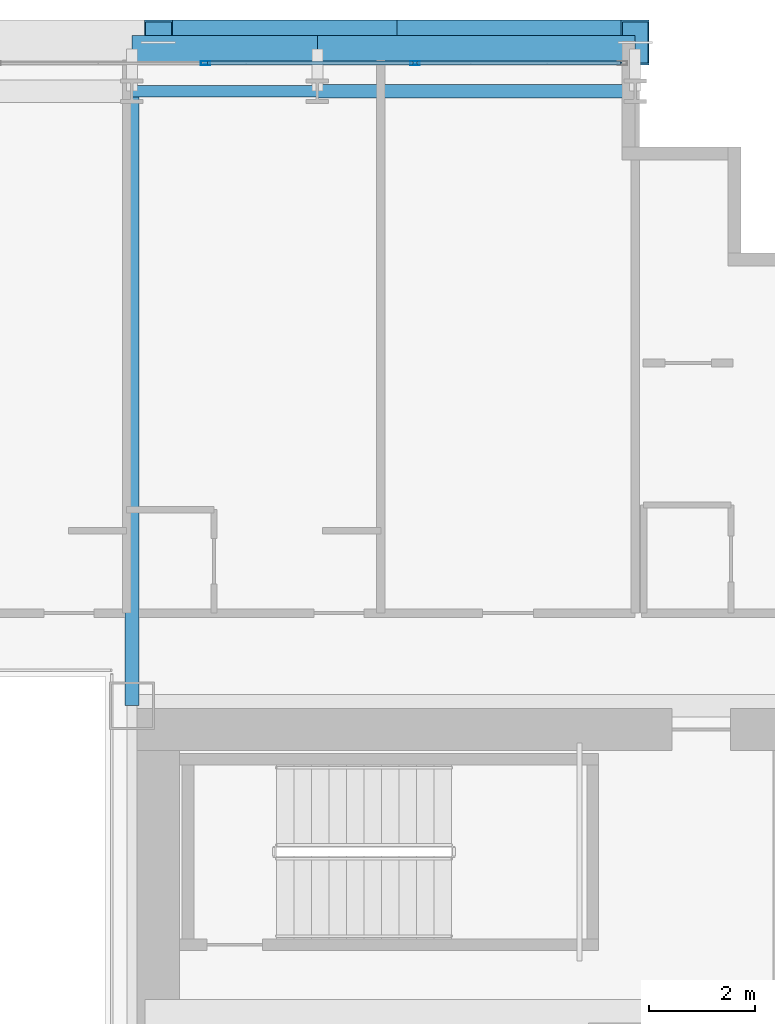
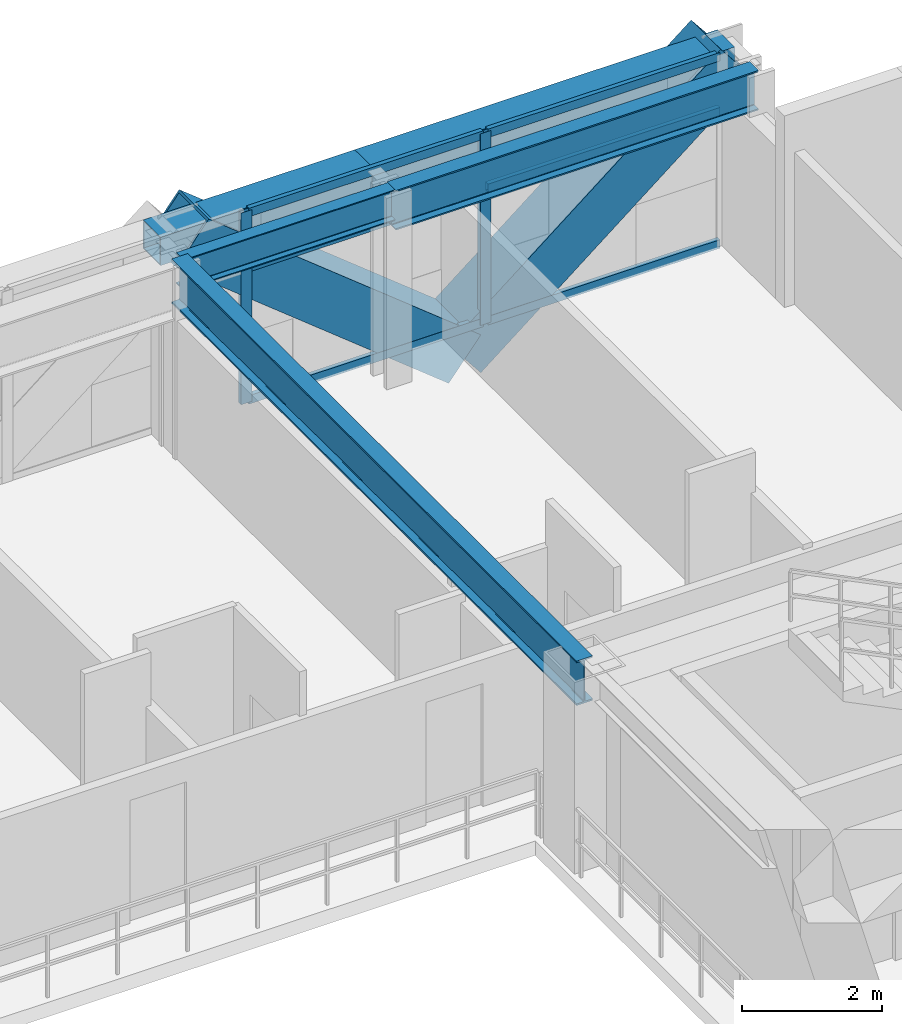
# One storey, part 21 of 38: 10 members, 5 beams, 1 element without a shape of its own.
"""IFC4 building model written with IfcOpenShell, lengths in metres."""

from ifc_helpers import new_model, si_unit, direction, frame, origin, origin_2d, place, context, subcontext, project, spatial, hollow_rectangle, i_section, extrude, source, transform, mapped, material, layer, layer_set, material_profile, profile_set, type_object, element, aggregate, save


model = new_model("IFC4")

# Units and contexts
model_context = context("Model", 3, precision=1e-05, world=origin(), true_north=direction((0.0, 1.0)))
body_context = subcontext(model_context, "Body", "Model", "MODEL_VIEW")
ifc_project = project(units=[si_unit("LENGTHUNIT", "METRE"), si_unit("AREAUNIT", "SQUARE_METRE"), si_unit("VOLUMEUNIT", "CUBIC_METRE"), si_unit("PLANEANGLEUNIT", "RADIAN"), si_unit("MASSUNIT", "GRAM", prefix="KILO")], contexts=[model_context])

# Site, building, storey
site_placement = place(None, origin())
site = spatial("IfcSite", under=ifc_project, at=site_placement, CompositionType="ELEMENT")
building_placement = place(site_placement, origin())
building = spatial("IfcBuilding", under=site, at=building_placement, Name="Ocotamira Hotel", CompositionType="ELEMENT")
storey_placement = place(building_placement, frame((0.0, 0.0, 74.39990234375)))
storey = spatial("IfcBuildingStorey", under=building, at=storey_placement, Name="L18", CompositionType="ELEMENT", Elevation=74.39990234375)

# Beams
ifc_material_1 = material(Name="Steel ASTM A992 Grade 50", Category="steel")
ifc_material_profile_1 = material_profile(ifc_material_1, i_section(OverallWidth=0.256103515625, OverallDepth=0.693115234375, WebThickness=0.014404296875, FlangeThickness=0.023681640625, FilletRadius=0.01611328125, at=origin_2d()), Name="W27X114")
ifc_profile_set_1 = profile_set([ifc_material_profile_1], Name="Steel ASTM A992 Grade 50")
beam_type_1 = type_object("IfcBeamType", Name="BM-PRIM-W27X114", PredefinedType="BEAM", material=ifc_profile_set_1)
shared_shape_1 = source(origin(), body_context, "Body", "SweptSolid", [
    extrude(i_section(OverallWidth=0.256103515625, OverallDepth=0.693115234375, WebThickness=0.014404296875, FlangeThickness=0.023681640625, FilletRadius=0.01611328125, at=origin_2d()), origin(), (0.0, 0.0, 1.0), 6.0),
])
beam_1_placement = place(storey_placement, frame((44.0, 49.050048828125, 3.003662109375), z_axis=(1.0, 0.0, 0.0), x_axis=(0.0, 1.0, 0.0)))
element("IfcBeam", 1, at=beam_1_placement, inside=storey, type_object=beam_type_1, Name="L18 Girder Y49.05 X44-50", PredefinedType="BEAM", context=body_context, shape_type="MappedRepresentation", body=[
    mapped(shared_shape_1, transform((0.0, 0.0, 0.0), scale=1.0)),
])
ifc_material_profile_2 = material_profile(ifc_material_1, i_section(OverallWidth=0.2099609375, OverallDepth=0.537109375, WebThickness=0.010986328125, FlangeThickness=0.017333984375, FilletRadius=0.012939453125, at=origin_2d()), Name="W21X68")
ifc_profile_set_2 = profile_set([ifc_material_profile_2], Name="Steel ASTM A992 Grade 50")
beam_type_2 = type_object("IfcBeamType", Name="BM-SEC-W21X68", PredefinedType="JOIST", material=ifc_profile_set_2)
shared_shape_2 = source(origin(), body_context, "Body", "SweptSolid", [
    extrude(i_section(OverallWidth=0.2099609375, OverallDepth=0.537109375, WebThickness=0.010986328125, FlangeThickness=0.017333984375, FilletRadius=0.012939453125, at=origin_2d()), origin(), (0.0, 0.0, 1.0), 3.5),
])
beam_2_placement = place(storey_placement, frame((40.5, 49.050048828125, 3.08154296875), z_axis=(1.0, 0.0, 0.0), x_axis=(0.0, 1.0, 0.0)))
element("IfcBeam", 2, at=beam_2_placement, inside=storey, type_object=beam_type_2, Name="L18 Girder Y49.05 X40.5-44", PredefinedType="JOIST", context=body_context, shape_type="MappedRepresentation", body=[
    mapped(shared_shape_2, transform((0.0, 0.0, 0.0), scale=1.0)),
])
ifc_material_profile_3 = material_profile(ifc_material_1, i_section(OverallWidth=0.26611328125, OverallDepth=0.779052734375, WebThickness=0.0166015625, FlangeThickness=0.030029296875, FilletRadius=0.01806640625, at=origin_2d()), Name="W30X148")
ifc_profile_set_3 = profile_set([ifc_material_profile_3], Name="Steel ASTM A992 Grade 50")
beam_type_3 = type_object("IfcBeamType", Name="BM-GIRD-W30X148", PredefinedType="BEAM", material=ifc_profile_set_3)
shared_shape_3 = source(origin(), body_context, "Body", "SweptSolid", [
    extrude(i_section(OverallWidth=0.26611328125, OverallDepth=0.779052734375, WebThickness=0.0166015625, FlangeThickness=0.030029296875, FilletRadius=0.01806640625, at=origin_2d()), origin(), (0.0, 0.0, 1.0), 11.60009765625),
])
beam_3_placement = place(storey_placement, frame((40.5, 37.449951171875, 2.960693359375), z_axis=(0.0, 1.0, 0.0), x_axis=(-1.0, 0.0, 0.0)))
element("IfcBeam", 3, at=beam_3_placement, inside=storey, type_object=beam_type_3, Name="L18 Beam X40.5 Y37.45-49.05", PredefinedType="BEAM", context=body_context, shape_type="MappedRepresentation", body=[
    mapped(shared_shape_3, transform((0.0, 0.0, 0.0), scale=1.0)),
])
ifc_material_2 = material(Name="Steel ASTM A500 Grade C", Category="steel")
ifc_material_profile_4 = material_profile(ifc_material_2, hollow_rectangle(XDim=0.5, YDim=0.5, WallThickness=0.02001953125, at=origin_2d()), Name="HSS500X500X20")
ifc_profile_set_4 = profile_set([ifc_material_profile_4], Name="Steel ASTM A500 Grade C")
beam_type_4 = type_object("IfcBeamType", Name="BM-SPAN-HSS500", PredefinedType="USERDEFINED", material=ifc_profile_set_4)
shared_shape_4 = source(origin(), body_context, "Body", "SweptSolid", [
    extrude(hollow_rectangle(XDim=0.5, YDim=0.5, WallThickness=0.02001953125, at=origin_2d()), origin(), (0.0, 0.0, 1.0), 6.0),
])
beam_4_placement = place(storey_placement, frame((44.0, 49.85009765625, 3.10009765625), z_axis=(1.0, 0.0, 0.0), x_axis=(0.0, 1.0, 0.0)))
element("IfcBeam", 4, at=beam_4_placement, inside=storey, type_object=beam_type_4, Name="L18 Edge Spandrel N X44-50", ObjectType="SPANDREL", PredefinedType="USERDEFINED", context=body_context, shape_type="MappedRepresentation", body=[
    mapped(shared_shape_4, transform((0.0, 0.0, 0.0), scale=1.0)),
])
shared_shape_5 = source(origin(), body_context, "Body", "SweptSolid", [
    extrude(hollow_rectangle(XDim=0.5, YDim=0.5, WallThickness=0.02001953125, at=origin_2d()), origin(), (0.0, 0.0, 1.0), 3.5),
])
beam_5_placement = place(storey_placement, frame((40.5, 49.85009765625, 3.10009765625), z_axis=(1.0, 0.0, 0.0), x_axis=(0.0, 1.0, 0.0)))
element("IfcBeam", 5, at=beam_5_placement, inside=storey, type_object=beam_type_4, Name="L18 Edge Spandrel N X40.5-44", ObjectType="SPANDREL", PredefinedType="USERDEFINED", context=body_context, shape_type="MappedRepresentation", body=[
    mapped(shared_shape_5, transform((0.0, 0.0, 0.0), scale=1.0)),
])

# Members
ifc_material_3 = material(Name="Pale-metal coated steel ASTM A913 Grade 65", Category="steel")
ifc_material_profile_5 = material_profile(ifc_material_3, hollow_rectangle(XDim=0.85009765625, YDim=0.85009765625, WallThickness=0.035888671875, at=origin_2d()), Name="BOX850X850X36")
ifc_profile_set_5 = profile_set([ifc_material_profile_5], Name="Pale-metal coated steel ASTM A913 Grade 65")
member_type_1 = type_object("IfcMemberType", Name="MEM-EXO-BOX850", PredefinedType="BRACE", material=ifc_profile_set_5)
shared_shape_6 = source(origin(), body_context, "Body", "SweptSolid", [
    extrude(hollow_rectangle(XDim=0.85009765625, YDim=0.85009765625, WallThickness=0.035888671875, at=origin_2d()), origin(), (0.0, 0.0, 1.0), 5.762939453125),
])
for number, where, z_axis, x_axis, name in (
    (6, (45.5, 49.969970703125, -0.5), (-0.780860543151, 0.0, 0.624705380279), (0.0, -1.0, 0.0), "L18 Exoskeleton Diagrid N3.1"),
    (7, (45.5, 49.969970703125, -0.5), (0.780860543151, 0.0, 0.624705380279), (0.0, 1.0, 0.0), "L18 Exoskeleton Diagrid N3.2"),
):
    element("IfcMember", number, at=place(storey_placement, frame(where, z_axis=z_axis, x_axis=x_axis)), inside=storey, type_object=member_type_1, Name=name, PredefinedType="BRACE", context=body_context, shape_type="MappedRepresentation", body=[
        mapped(shared_shape_6, transform((0.0, 0.0, 0.0), scale=1.0)),
    ])

# Curtain wall, members
ifc_material_4 = material(Name="Anodised pale-metal aluminium and solar glass", Category="aluminium")
ifc_layer = layer(ifc_material_4, 0.179931640625)
ifc_layer_set = layer_set([ifc_layer], Name="Anodised pale-metal aluminium and solar glass")
curtain_wall_type = type_object("IfcCurtainWallType", Name="CW-SYS2-Z1", PredefinedType="NOTDEFINED", material=ifc_layer_set)
curtain_wall_placement = place(storey_placement, origin())
curtain_wall = element("IfcCurtainWall", 8, at=curtain_wall_placement, inside=storey, type_object=curtain_wall_type, Name="L18 Curtain Wall CW-2 CW-L18-N", PredefinedType="NOTDEFINED")
ifc_material_5 = material(Name="Anodised pale-metal aluminium 6063-T6", Category="aluminium")
ifc_material_profile_6 = material_profile(ifc_material_5, hollow_rectangle(XDim=0.074951171875, YDim=0.14990234375, WallThickness=0.006103515625, at=origin_2d()), Name="HSS150X75X6")
ifc_profile_set_6 = profile_set([ifc_material_profile_6], Name="Anodised pale-metal aluminium 6063-T6")
member_type_2 = type_object("IfcMemberType", Name="CWT-150X75", PredefinedType="USERDEFINED", material=ifc_profile_set_6)
shared_shape_7 = source(origin(), body_context, "Body", "SweptSolid", [
    extrude(hollow_rectangle(XDim=0.074951171875, YDim=0.14990234375, WallThickness=0.006103515625, at=origin_2d()), origin(), (0.0, 0.0, 1.0), 3.83544921875),
])
member_1_placement = place(storey_placement, frame((45.884521484375, 49.580078125, 0.03759765625), z_axis=(1.0, 0.0, 0.0), x_axis=(0.0, 1.0, 0.0)))
member_1 = element("IfcMember", 9, at=member_1_placement, type_object=member_type_2, Name="CW-2 transom 9.1", ObjectType="TRANSOM", PredefinedType="USERDEFINED", context=body_context, shape_type="MappedRepresentation", body=[
    mapped(shared_shape_7, transform((0.0, 0.0, 0.0), scale=1.0)),
])
member_2_placement = place(storey_placement, frame((45.884521484375, 49.580078125, 2.35009765625), z_axis=(1.0, 0.0, 0.0), x_axis=(0.0, 1.0, 0.0)))
member_2 = element("IfcMember", 10, at=member_2_placement, type_object=member_type_2, Name="CW-2 transom 9.2", ObjectType="TRANSOM", PredefinedType="USERDEFINED", context=body_context, shape_type="MappedRepresentation", body=[
    mapped(shared_shape_7, transform((0.0, 0.0, 0.0), scale=1.0)),
])
member_3_placement = place(storey_placement, frame((45.884521484375, 49.580078125, 3.3125), z_axis=(1.0, 0.0, 0.0), x_axis=(0.0, 1.0, 0.0)))
member_3 = element("IfcMember", 11, at=member_3_placement, type_object=member_type_2, Name="CW-2 transom 9.3", ObjectType="TRANSOM", PredefinedType="USERDEFINED", context=body_context, shape_type="MappedRepresentation", body=[
    mapped(shared_shape_7, transform((0.0, 0.0, 0.0), scale=1.0)),
])
shared_shape_8 = source(origin(), body_context, "Body", "SweptSolid", [
    extrude(hollow_rectangle(XDim=0.074951171875, YDim=0.14990234375, WallThickness=0.006103515625, at=origin_2d()), origin(), (0.0, 0.0, 1.0), 3.87548828125),
])
member_4_placement = place(storey_placement, frame((41.928955078125, 49.580078125, 0.03759765625), z_axis=(1.0, 0.0, 0.0), x_axis=(0.0, 1.0, 0.0)))
member_4 = element("IfcMember", 12, at=member_4_placement, type_object=member_type_2, Name="CW-2 transom 8.1", ObjectType="TRANSOM", PredefinedType="USERDEFINED", context=body_context, shape_type="MappedRepresentation", body=[
    mapped(shared_shape_8, transform((0.0, 0.0, 0.0), scale=1.0)),
])
member_5_placement = place(storey_placement, frame((41.928955078125, 49.580078125, 2.35009765625), z_axis=(1.0, 0.0, 0.0), x_axis=(0.0, 1.0, 0.0)))
member_5 = element("IfcMember", 13, at=member_5_placement, type_object=member_type_2, Name="CW-2 transom 8.2", ObjectType="TRANSOM", PredefinedType="USERDEFINED", context=body_context, shape_type="MappedRepresentation", body=[
    mapped(shared_shape_8, transform((0.0, 0.0, 0.0), scale=1.0)),
])
member_6_placement = place(storey_placement, frame((41.928955078125, 49.580078125, 3.3125), z_axis=(1.0, 0.0, 0.0), x_axis=(0.0, 1.0, 0.0)))
member_6 = element("IfcMember", 14, at=member_6_placement, type_object=member_type_2, Name="CW-2 transom 8.3", ObjectType="TRANSOM", PredefinedType="USERDEFINED", context=body_context, shape_type="MappedRepresentation", body=[
    mapped(shared_shape_8, transform((0.0, 0.0, 0.0), scale=1.0)),
])
ifc_material_profile_7 = material_profile(ifc_material_5, hollow_rectangle(XDim=0.080078125, YDim=0.179931640625, WallThickness=0.006103515625, at=origin_2d()), Name="HSS180X80X6")
ifc_profile_set_7 = profile_set([ifc_material_profile_7], Name="Anodised pale-metal aluminium 6063-T6")
member_type_3 = type_object("IfcMemberType", Name="CWM-180X75", PredefinedType="MULLION", material=ifc_profile_set_7)
shared_shape_9 = source(origin(), body_context, "Body", "SweptSolid", [
    extrude(hollow_rectangle(XDim=0.080078125, YDim=0.179931640625, WallThickness=0.006103515625, at=origin_2d()), origin(), (0.0, 0.0, 1.0), 3.35009765625),
])
member_7_placement = place(storey_placement, frame((41.888916015625, 49.580078125, 0.0), z_axis=(0.0, 0.0, 1.0), x_axis=(0.0, 1.0, 0.0)))
member_7 = element("IfcMember", 15, at=member_7_placement, type_object=member_type_3, Name="CW-2 mullion 8", PredefinedType="MULLION", context=body_context, shape_type="MappedRepresentation", body=[
    mapped(shared_shape_9, transform((0.0, 0.0, 0.0), scale=1.0)),
])
member_8_placement = place(storey_placement, frame((45.844482421875, 49.580078125, 0.0), z_axis=(0.0, 0.0, 1.0), x_axis=(0.0, 1.0, 0.0)))
member_8 = element("IfcMember", 16, at=member_8_placement, type_object=member_type_3, Name="CW-2 mullion 9", PredefinedType="MULLION", context=body_context, shape_type="MappedRepresentation", body=[
    mapped(shared_shape_9, transform((0.0, 0.0, 0.0), scale=1.0)),
])
aggregate(curtain_wall, [member_7, member_8, member_4, member_5, member_6, member_1, member_2, member_3])

save(model, "model.ifc")
